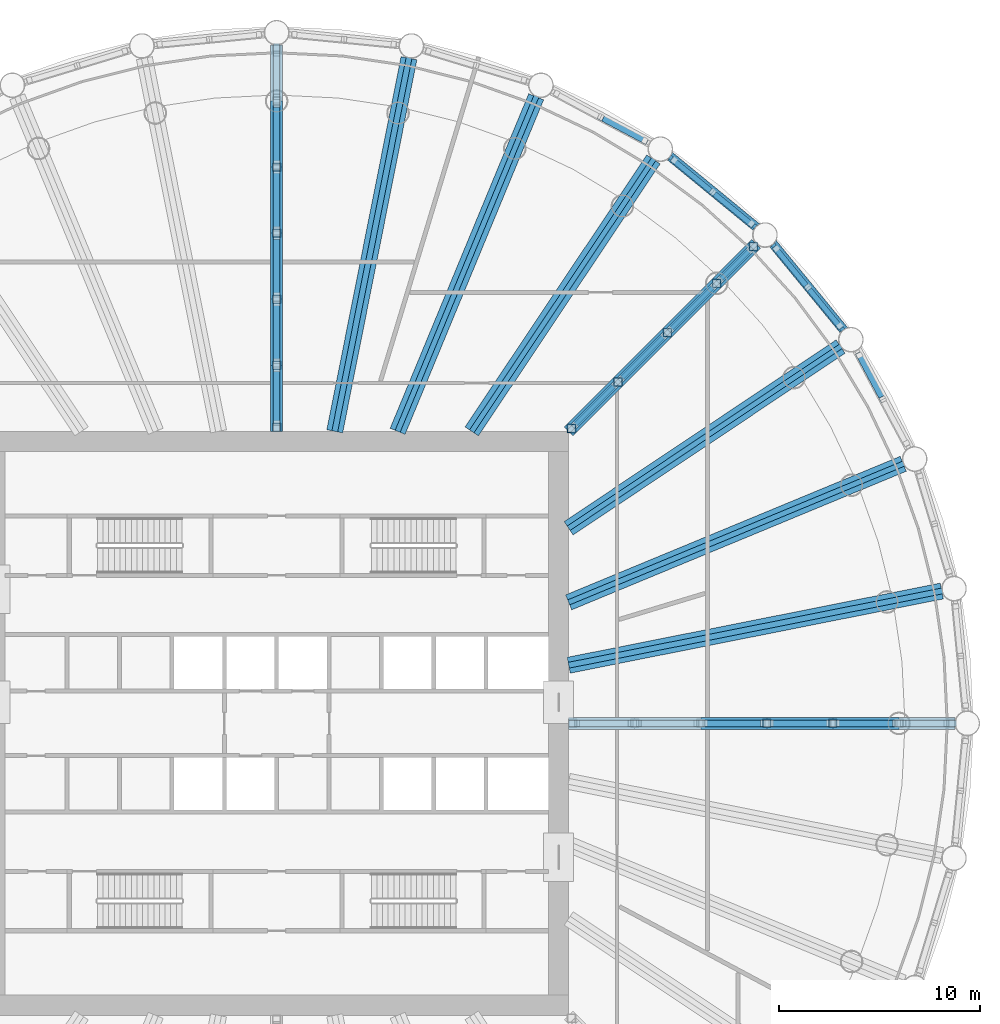
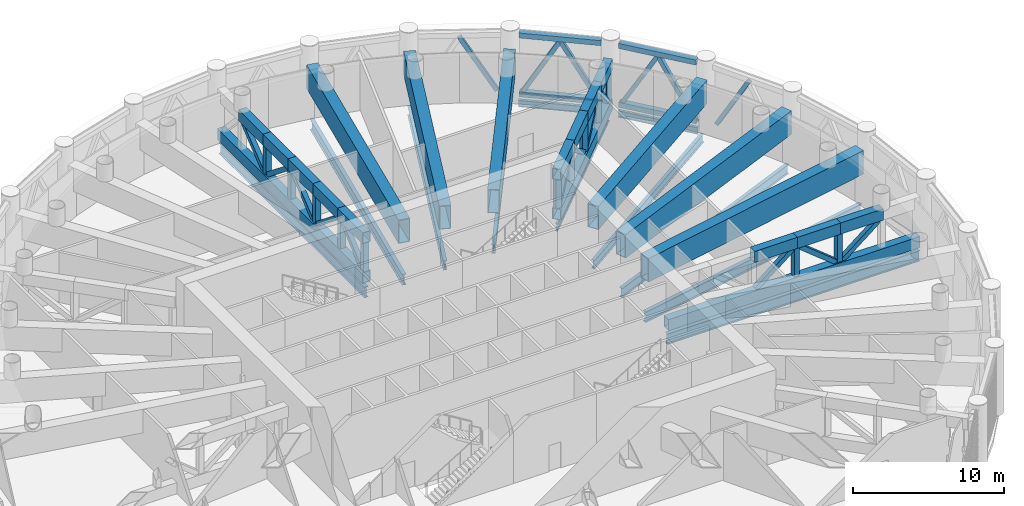
# One storey, part 6 of 29: 51 members, 17 beams, 2 elements without a shape of their own.
"""IFC4 building model written with IfcOpenShell, lengths in metres."""

from ifc_helpers import new_model, si_unit, direction, frame, origin, origin_2d, place, context, subcontext, project, spatial, rectangle, hollow_rectangle, i_section, extrude, material, material_profile, profile_set, type_object, element, aggregate, save


model = new_model("IFC4")

# Units and contexts
model_context = context("Model", 3, precision=1e-05, world=origin(), true_north=direction((0.0, 1.0)))
body_context = subcontext(model_context, "Body", "Model", "MODEL_VIEW")
ifc_project = project(units=[si_unit("LENGTHUNIT", "METRE"), si_unit("AREAUNIT", "SQUARE_METRE"), si_unit("VOLUMEUNIT", "CUBIC_METRE"), si_unit("PLANEANGLEUNIT", "RADIAN"), si_unit("MASSUNIT", "GRAM", prefix="KILO")], contexts=[model_context])

# Site, building, storey
site_placement = place(None, origin())
site = spatial("IfcSite", under=ifc_project, at=site_placement, CompositionType="ELEMENT")
building_placement = place(site_placement, origin())
building = spatial("IfcBuilding", under=site, at=building_placement, Name="Corvane Civic Tower", CompositionType="ELEMENT")
storey_placement = place(building_placement, frame((0.0, 0.0, 138.5)))
storey = spatial("IfcBuildingStorey", under=building, at=storey_placement, Name="L32", CompositionType="ELEMENT", Elevation=138.5)

# Members
ifc_material_1 = material(Name="Steel ASTM A500 Gr C", Category="steel")
ifc_material_profile_1 = material_profile(ifc_material_1, hollow_rectangle(XDim=0.406494140625, YDim=0.406494140625, WallThickness=0.0146484375, at=origin_2d()), Name="HSS16X16X5/8")
ifc_profile_set_1 = profile_set([ifc_material_profile_1], Name="Steel ASTM A500 Gr C")
member_type_1 = type_object("IfcMemberType", Name="BELT CHORD HSS16X16X5/8", PredefinedType="CHORD", material=ifc_profile_set_1)
for number, where, z_axis, x_axis, name in (
    (1, (19.539306640625, 28.122802734375, 4.94677734375), (0.772992607919, -0.634415028276, 0.0), (0.634415028276, 0.772992607919, 0.0), "Belt truss BT-L32"),
    (2, (19.539306640625, 28.122802734375, 0.203125), (0.772992607919, -0.634415028276, 0.0), (0.634415028276, 0.772992607919, 0.0), "Belt truss BT-L32"),
    (3, (24.650146484375, 23.7705078125, 4.94677734375), (0.634415028276, -0.772992607919, 0.0), (0.772992607919, 0.634415028276, 0.0), "Belt truss BT-L32"),
    (4, (24.650146484375, 23.7705078125, 0.203125), (0.634415028276, -0.772992607919, 0.0), (0.772992607919, 0.634415028276, 0.0), "Belt truss BT-L32"),
):
    element("IfcMember", number, at=place(storey_placement, frame(where, z_axis=z_axis, x_axis=x_axis)), inside=storey, type_object=member_type_1, Name=name, PredefinedType="CHORD", context=body_context, shape_type="SweptSolid", body=[
        extrude(hollow_rectangle(XDim=0.406494140625, YDim=0.406494140625, WallThickness=0.0146484375, at=origin_2d()), origin(), (0.0, 0.0, 1.0), 5.473876953125),
    ])
ifc_material_2 = material(Name="Steel ASTM A500 Gr C", Category="steel")
ifc_material_profile_2 = material_profile(ifc_material_2, hollow_rectangle(XDim=0.3046875, YDim=0.3046875, WallThickness=0.01171875, at=origin_2d()), Name="HSS12X12X1/2")
ifc_profile_set_2 = profile_set([ifc_material_profile_2], Name="Steel ASTM A500 Gr C")
member_type_2 = type_object("IfcMemberType", Name="BELT DIAGONAL HSS12X12X1/2", PredefinedType="BRACE", material=ifc_profile_set_2)
member_1_placement = place(storey_placement, frame((18.284423828125, 28.931640625, 0.406494140625), z_axis=(-0.438700173893, 0.234536613447, 0.867487598977), x_axis=(-0.471469415542, -0.881882412915, 0.0)))
element("IfcMember", 5, at=member_1_placement, inside=storey, type_object=member_type_2, Name="Belt truss BT-L32", PredefinedType="BRACE", context=body_context, shape_type="SweptSolid", body=[
    extrude(hollow_rectangle(XDim=0.3046875, YDim=0.3046875, WallThickness=0.01171875, at=origin_2d()), origin(), (0.0, 0.0, 1.0), 4.999755859375),
])
for number, where, z_axis, x_axis, name in (
    (6, (19.732421875, 27.964111328125, 0.406494140625), (0.384549956016, -0.315550706765, 0.867495869032), (0.634343688691, 0.773051152653, 0.0), "Belt truss BT-L32"),
    (7, (23.577392578125, 24.808837890625, 0.406494140625), (-0.384508344276, 0.315556632044, 0.867512158505), (-0.634391829389, -0.773011647263, 0.0), "Belt truss BT-L32"),
    (8, (24.808837890625, 23.577392578125, 0.406494140625), (0.315556632044, -0.384508344276, 0.867512158505), (0.773011647263, 0.634391829389, 0.0), "Belt truss BT-L32"),
    (9, (27.964111328125, 19.732421875, 0.406494140625), (-0.315550706765, 0.384549956016, 0.867495869032), (-0.773051152653, -0.634343688691, 0.0), "Belt truss BT-L32"),
):
    element("IfcMember", number, at=place(storey_placement, frame(where, z_axis=z_axis, x_axis=x_axis)), inside=storey, type_object=member_type_2, Name=name, PredefinedType="BRACE", context=body_context, shape_type="SweptSolid", body=[
        extrude(hollow_rectangle(XDim=0.3046875, YDim=0.3046875, WallThickness=0.01171875, at=origin_2d()), origin(), (0.0, 0.0, 1.0), 4.99951171875),
    ])
member_2_placement = place(storey_placement, frame((28.931640625, 18.284423828125, 0.406494140625), z_axis=(0.234536613447, -0.438700173893, 0.867487598977), x_axis=(0.881882412915, 0.471469415542, 0.0)))
element("IfcMember", 10, at=member_2_placement, inside=storey, type_object=member_type_2, Name="Belt truss BT-L32", PredefinedType="BRACE", context=body_context, shape_type="SweptSolid", body=[
    extrude(hollow_rectangle(XDim=0.3046875, YDim=0.3046875, WallThickness=0.01171875, at=origin_2d()), origin(), (0.0, 0.0, 1.0), 4.999755859375),
])

# Beams
ifc_material_3 = material(Name="Steel ASTM A992 Gr 50", Category="steel")
ifc_material_profile_3 = material_profile(ifc_material_3, i_section(OverallWidth=0.209228515625, OverallDepth=0.533447265625, WebThickness=0.01025390625, FlangeThickness=0.015625, at=origin_2d()), Name="W21X62")
ifc_profile_set_3 = profile_set([ifc_material_profile_3], Name="Steel ASTM A992 Gr 50")
beam_type_1 = type_object("IfcBeamType", Name="EDGE BEAM W21X62", PredefinedType="BEAM", material=ifc_profile_set_3)
for number, where, z_axis, x_axis, name in (
    (11, (19.481201171875, 28.17041015625, -0.61669921875), (0.773006775372, -0.634397765782, 0.0), (0.634397765782, 0.773006775372, 0.0), "BM-L32-E04"),
    (12, (24.6025390625, 23.82861328125, -0.61669921875), (0.634397765782, -0.773006775372, 0.0), (0.773006775372, 0.634397765782, 0.0), "BM-L32-E05"),
):
    element("IfcBeam", number, at=place(storey_placement, frame(where, z_axis=z_axis, x_axis=x_axis)), inside=storey, type_object=beam_type_1, Name=name, PredefinedType="BEAM", context=body_context, shape_type="SweptSolid", body=[
        extrude(i_section(OverallWidth=0.209228515625, OverallDepth=0.533447265625, WebThickness=0.01025390625, FlangeThickness=0.015625, at=origin_2d()), origin(), (0.0, 0.0, 1.0), 5.6240234375),
    ])
ifc_material_4 = material(Name="Steel ASTM A992 Gr 50", Category="steel")
ifc_material_profile_4 = material_profile(ifc_material_4, i_section(OverallWidth=0.177978515625, OverallDepth=0.599365234375, WebThickness=0.010009765625, FlangeThickness=0.012939453125, at=origin_2d()), Name="W24X55")
ifc_profile_set_4 = profile_set([ifc_material_profile_4], Name="Steel ASTM A992 Gr 50")
beam_type_2 = type_object("IfcBeamType", Name="FLOOR GIRDER W24X55", PredefinedType="BEAM", material=ifc_profile_set_4)
beam_1_placement = place(storey_placement, frame((14.5, 14.5, -0.649658203125), z_axis=(0.707106781187, 0.707106781187, 0.0), x_axis=(-0.707106781187, 0.707106781187, 0.0)))
element("IfcBeam", 13, at=beam_1_placement, inside=storey, type_object=beam_type_2, Name="BM-L32-G05", PredefinedType="BEAM", context=body_context, shape_type="SweptSolid", body=[
    extrude(i_section(OverallWidth=0.177978515625, OverallDepth=0.599365234375, WebThickness=0.010009765625, FlangeThickness=0.012939453125, at=origin_2d()), origin(), (0.0, 0.0, 1.0), 13.24365234375),
])
ifc_material_5 = material(Name="Steel ASTM A992 Gr 50", Category="steel")
ifc_material_profile_5 = material_profile(ifc_material_5, i_section(OverallWidth=0.256591796875, OverallDepth=0.693359375, WebThickness=0.014404296875, FlangeThickness=0.023681640625, at=origin_2d()), Name="W27X114")
ifc_profile_set_5 = profile_set([ifc_material_profile_5], Name="Steel ASTM A992 Gr 50")
beam_type_3 = type_object("IfcBeamType", Name="FLOOR GIRDER W27X114", PredefinedType="BEAM", material=ifc_profile_set_5)
for number, where, z_axis, x_axis, name in (
    (14, (9.6884765625, 14.5, -0.69677734375), (0.555577235054, 0.83146493365, 0.0), (-0.83146493365, 0.555577235054, 0.0), "BM-L32-G04"),
    (15, (14.5, 9.6884765625, -0.69677734375), (0.83146493365, 0.555577235054, 0.0), (-0.555577235054, 0.83146493365, 0.0), "BM-L32-G06"),
):
    element("IfcBeam", number, at=place(storey_placement, frame(where, z_axis=z_axis, x_axis=x_axis)), inside=storey, type_object=beam_type_3, Name=name, PredefinedType="BEAM", context=body_context, shape_type="SweptSolid", body=[
        extrude(i_section(OverallWidth=0.256591796875, OverallDepth=0.693359375, WebThickness=0.014404296875, FlangeThickness=0.023681640625, at=origin_2d()), origin(), (0.0, 0.0, 1.0), 16.31103515625),
    ])
ifc_material_6 = material(Name="Steel ASTM A992 Gr 50", Category="steel")
ifc_material_profile_6 = material_profile(ifc_material_6, i_section(OverallWidth=0.2666015625, OverallDepth=0.7568359375, WebThickness=0.013916015625, FlangeThickness=0.019287109375, at=origin_2d()), Name="W30X108")
ifc_profile_set_6 = profile_set([ifc_material_profile_6], Name="Steel ASTM A992 Gr 50")
beam_type_4 = type_object("IfcBeamType", Name="FLOOR GIRDER W30X108", PredefinedType="BEAM", material=ifc_profile_set_6)
for number, where, z_axis, x_axis, name in (
    (16, (6.006103515625, 14.5, -0.728515625), (0.382681797504, 0.923880209691, 0.0), (-0.923880209691, 0.382681797504, 0.0), "BM-L32-G03"),
    (17, (14.5, 6.006103515625, -0.728515625), (0.923880209691, 0.382681797504, 0.0), (-0.382681797504, 0.923880209691, 0.0), "BM-L32-G07"),
):
    element("IfcBeam", number, at=place(storey_placement, frame(where, z_axis=z_axis, x_axis=x_axis)), inside=storey, type_object=beam_type_4, Name=name, PredefinedType="BEAM", context=body_context, shape_type="SweptSolid", body=[
        extrude(i_section(OverallWidth=0.2666015625, OverallDepth=0.7568359375, WebThickness=0.013916015625, FlangeThickness=0.019287109375, at=origin_2d()), origin(), (0.0, 0.0, 1.0), 18.05517578125),
    ])
ifc_material_7 = material(Name="Steel ASTM A992 Gr 50", Category="steel")
ifc_material_profile_7 = material_profile(ifc_material_7, i_section(OverallWidth=0.2919921875, OverallDepth=0.8583984375, WebThickness=0.01708984375, FlangeThickness=0.031005859375, at=origin_2d()), Name="W33X169")
ifc_profile_set_7 = profile_set([ifc_material_profile_7], Name="Steel ASTM A992 Gr 50")
beam_type_5 = type_object("IfcBeamType", Name="FLOOR GIRDER W33X169", PredefinedType="BEAM", material=ifc_profile_set_7)
beam_2_placement = place(storey_placement, frame((0.0, 14.5, -0.779296875), z_axis=(0.0, 1.0, 0.0), x_axis=(-1.0, 0.0, 0.0)))
element("IfcBeam", 18, at=beam_2_placement, inside=storey, type_object=beam_type_5, Name="BM-L32-G01", PredefinedType="BEAM", context=body_context, shape_type="SweptSolid", body=[
    extrude(i_section(OverallWidth=0.2919921875, OverallDepth=0.8583984375, WebThickness=0.01708984375, FlangeThickness=0.031005859375, at=origin_2d()), origin(), (0.0, 0.0, 1.0), 19.25),
])
for number, where, z_axis, x_axis, name in (
    (19, (2.88427734375, 14.5, -0.779296875), (0.195083745652, 0.9807865885, 0.0), (-0.9807865885, 0.195083745652, 0.0), "BM-L32-G02"),
    (20, (14.5, 2.88427734375, -0.779296875), (0.9807865885, 0.195083745652, 0.0), (-0.195083745652, 0.9807865885, 0.0), "BM-L32-G08"),
):
    element("IfcBeam", number, at=place(storey_placement, frame(where, z_axis=z_axis, x_axis=x_axis)), inside=storey, type_object=beam_type_5, Name=name, PredefinedType="BEAM", context=body_context, shape_type="SweptSolid", body=[
        extrude(i_section(OverallWidth=0.2919921875, OverallDepth=0.8583984375, WebThickness=0.01708984375, FlangeThickness=0.031005859375, at=origin_2d()), origin(), (0.0, 0.0, 1.0), 18.966064453125),
    ])
beam_3_placement = place(storey_placement, frame((14.5, 0.0, -0.779296875), z_axis=(1.0, 0.0, 0.0), x_axis=(0.0, 1.0, 0.0)))
element("IfcBeam", 21, at=beam_3_placement, inside=storey, type_object=beam_type_5, Name="BM-L32-G09", PredefinedType="BEAM", context=body_context, shape_type="SweptSolid", body=[
    extrude(i_section(OverallWidth=0.2919921875, OverallDepth=0.8583984375, WebThickness=0.01708984375, FlangeThickness=0.031005859375, at=origin_2d()), origin(), (0.0, 0.0, 1.0), 19.25),
])

# Members
ifc_material_8 = material(Name="Steel ASTM A572 Gr 50", Category="steel")
ifc_material_profile_8 = material_profile(ifc_material_8, hollow_rectangle(XDim=0.60009765625, YDim=0.89990234375, WallThickness=0.0400390625, at=origin_2d()), Name="BOX900X600X40")
ifc_profile_set_8 = profile_set([ifc_material_profile_8], Name="Steel ASTM A572 Gr 50")
member_type_3 = type_object("IfcMemberType", Name="OUTRIGGER CHORD BOX900X600X40", PredefinedType="CHORD", material=ifc_profile_set_8)
for number, where, z_axis, x_axis, name in (
    (22, (0.0, 14.5, 3.64990234375), (0.0, 1.0, 0.0), (-1.0, 0.0, 0.0), "Outrigger truss OT-L32-1"),
    (23, (0.0, 17.780029296875, 3.64990234375), (0.0, 1.0, 0.0), (-1.0, 0.0, 0.0), "Outrigger truss OT-L32-1"),
    (24, (0.0, 21.06005859375, 3.64990234375), (0.0, 1.0, 0.0), (-1.0, 0.0, 0.0), "Outrigger truss OT-L32-1"),
    (25, (0.0, 24.340087890625, 3.64990234375), (0.0, 1.0, 0.0), (-1.0, 0.0, 0.0), "Outrigger truss OT-L32-1"),
):
    element("IfcMember", number, at=place(storey_placement, frame(where, z_axis=z_axis, x_axis=x_axis)), inside=storey, type_object=member_type_3, Name=name, PredefinedType="CHORD", context=body_context, shape_type="SweptSolid", body=[
        extrude(hollow_rectangle(XDim=0.60009765625, YDim=0.89990234375, WallThickness=0.0400390625, at=origin_2d()), origin(), (0.0, 0.0, 1.0), 3.280029296875),
    ])
member_3_placement = place(storey_placement, frame((0.0, 27.6201171875, 3.64990234375), z_axis=(0.0, 1.0, 0.0), x_axis=(-1.0, 0.0, 0.0)))
element("IfcMember", 26, at=member_3_placement, inside=storey, type_object=member_type_3, Name="Outrigger truss OT-L32-1", PredefinedType="CHORD", context=body_context, shape_type="SweptSolid", body=[
    extrude(hollow_rectangle(XDim=0.60009765625, YDim=0.89990234375, WallThickness=0.0400390625, at=origin_2d()), origin(), (0.0, 0.0, 1.0), 3.27978515625),
])
member_4_placement = place(storey_placement, frame((0.0, 14.5, 0.449951171875), z_axis=(0.0, 1.0, 0.0), x_axis=(-1.0, 0.0, 0.0)))
element("IfcMember", 27, at=member_4_placement, inside=storey, type_object=member_type_3, Name="Outrigger truss OT-L32-1", PredefinedType="CHORD", context=body_context, shape_type="SweptSolid", body=[
    extrude(hollow_rectangle(XDim=0.60009765625, YDim=0.89990234375, WallThickness=0.0400390625, at=origin_2d()), origin(), (0.0, 0.0, 1.0), 19.175048828125),
])
member_5_placement = place(storey_placement, frame((14.5, 14.5, 3.64990234375), z_axis=(0.707106781187, 0.707106781187, 0.0), x_axis=(-0.707106781187, 0.707106781187, 0.0)))
element("IfcMember", 28, at=member_5_placement, inside=storey, type_object=member_type_3, Name="Outrigger truss OT-L32-2", PredefinedType="CHORD", context=body_context, shape_type="SweptSolid", body=[
    extrude(hollow_rectangle(XDim=0.60009765625, YDim=0.89990234375, WallThickness=0.0400390625, at=origin_2d()), origin(), (0.0, 0.0, 1.0), 3.46484375),
])
member_6_placement = place(storey_placement, frame((16.949951171875, 16.949951171875, 3.64990234375), z_axis=(0.707106781187, 0.707106781187, 0.0), x_axis=(-0.707106781187, 0.707106781187, 0.0)))
element("IfcMember", 29, at=member_6_placement, inside=storey, type_object=member_type_3, Name="Outrigger truss OT-L32-2", PredefinedType="CHORD", context=body_context, shape_type="SweptSolid", body=[
    extrude(hollow_rectangle(XDim=0.60009765625, YDim=0.89990234375, WallThickness=0.0400390625, at=origin_2d()), origin(), (0.0, 0.0, 1.0), 3.46435546875),
])
member_7_placement = place(storey_placement, frame((19.399658203125, 19.399658203125, 3.64990234375), z_axis=(0.707106781187, 0.707106781187, 0.0), x_axis=(-0.707106781187, 0.707106781187, 0.0)))
element("IfcMember", 30, at=member_7_placement, inside=storey, type_object=member_type_3, Name="Outrigger truss OT-L32-2", PredefinedType="CHORD", context=body_context, shape_type="SweptSolid", body=[
    extrude(hollow_rectangle(XDim=0.60009765625, YDim=0.89990234375, WallThickness=0.0400390625, at=origin_2d()), origin(), (0.0, 0.0, 1.0), 3.46484375),
])
member_8_placement = place(storey_placement, frame((21.849609375, 21.849609375, 3.64990234375), z_axis=(0.707106781187, 0.707106781187, 0.0), x_axis=(-0.707106781187, 0.707106781187, 0.0)))
element("IfcMember", 31, at=member_8_placement, inside=storey, type_object=member_type_3, Name="Outrigger truss OT-L32-2", PredefinedType="CHORD", context=body_context, shape_type="SweptSolid", body=[
    extrude(hollow_rectangle(XDim=0.60009765625, YDim=0.89990234375, WallThickness=0.0400390625, at=origin_2d()), origin(), (0.0, 0.0, 1.0), 2.77490234375),
])
member_9_placement = place(storey_placement, frame((14.5, 14.5, 0.449951171875), z_axis=(0.707106781187, 0.707106781187, 0.0), x_axis=(-0.707106781187, 0.707106781187, 0.0)))
element("IfcMember", 32, at=member_9_placement, inside=storey, type_object=member_type_3, Name="Outrigger truss OT-L32-2", PredefinedType="CHORD", context=body_context, shape_type="SweptSolid", body=[
    extrude(hollow_rectangle(XDim=0.60009765625, YDim=0.89990234375, WallThickness=0.0400390625, at=origin_2d()), origin(), (0.0, 0.0, 1.0), 13.1689453125),
])
for number, where, z_axis, x_axis, name in (
    (33, (21.06005859375, 0.0, 3.64990234375), (1.0, 0.0, 0.0), (0.0, 1.0, 0.0), "Outrigger truss OT-L32-3"),
    (34, (24.340087890625, 0.0, 3.64990234375), (1.0, 0.0, 0.0), (0.0, 1.0, 0.0), "Outrigger truss OT-L32-3"),
):
    element("IfcMember", number, at=place(storey_placement, frame(where, z_axis=z_axis, x_axis=x_axis)), inside=storey, type_object=member_type_3, Name=name, PredefinedType="CHORD", context=body_context, shape_type="SweptSolid", body=[
        extrude(hollow_rectangle(XDim=0.60009765625, YDim=0.89990234375, WallThickness=0.0400390625, at=origin_2d()), origin(), (0.0, 0.0, 1.0), 3.280029296875),
    ])
member_10_placement = place(storey_placement, frame((27.6201171875, 0.0, 3.64990234375), z_axis=(1.0, 0.0, 0.0), x_axis=(0.0, 1.0, 0.0)))
element("IfcMember", 35, at=member_10_placement, inside=storey, type_object=member_type_3, Name="Outrigger truss OT-L32-3", PredefinedType="CHORD", context=body_context, shape_type="SweptSolid", body=[
    extrude(hollow_rectangle(XDim=0.60009765625, YDim=0.89990234375, WallThickness=0.0400390625, at=origin_2d()), origin(), (0.0, 0.0, 1.0), 3.27978515625),
])
member_11_placement = place(storey_placement, frame((14.5, 0.0, 0.449951171875), z_axis=(1.0, 0.0, 0.0), x_axis=(0.0, 1.0, 0.0)))
element("IfcMember", 36, at=member_11_placement, inside=storey, type_object=member_type_3, Name="Outrigger truss OT-L32-3", PredefinedType="CHORD", context=body_context, shape_type="SweptSolid", body=[
    extrude(hollow_rectangle(XDim=0.60009765625, YDim=0.89990234375, WallThickness=0.0400390625, at=origin_2d()), origin(), (0.0, 0.0, 1.0), 19.175048828125),
])
ifc_material_9 = material(Name="Steel ASTM A500 Gr C", Category="steel")
ifc_material_profile_9 = material_profile(ifc_material_9, hollow_rectangle(XDim=0.355712890625, YDim=0.355712890625, WallThickness=0.01171875, at=origin_2d()), Name="HSS14X14X1/2")
ifc_profile_set_9 = profile_set([ifc_material_profile_9], Name="Steel ASTM A500 Gr C")
member_type_4 = type_object("IfcMemberType", Name="OUTRIGGER DIAGONAL HSS14X14X1/2", PredefinedType="BRACE", material=ifc_profile_set_9)
member_12_placement = place(storey_placement, frame((0.0, 14.906494140625, 0.89990234375), z_axis=(0.0, 0.757694584279, 0.652609314179), x_axis=(-1.0, 0.0, 0.0)))
element("IfcMember", 37, at=member_12_placement, inside=storey, type_object=member_type_4, Name="Outrigger truss OT-L32-1", PredefinedType="BRACE", context=body_context, shape_type="SweptSolid", body=[
    extrude(hollow_rectangle(XDim=0.355712890625, YDim=0.355712890625, WallThickness=0.01171875, at=origin_2d()), origin(), (0.0, 0.0, 1.0), 3.5244140625),
])
for number, where, z_axis, x_axis, name in (
    (38, (0.0, 17.983154296875, 3.199951171875), (0.0, 0.780707002168, -0.624897252967), (-1.0, 0.0, 0.0), "Outrigger truss OT-L32-1"),
    (39, (0.0, 21.26318359375, 0.89990234375), (0.0, 0.780707002168, 0.624897252967), (-1.0, 0.0, 0.0), "Outrigger truss OT-L32-1"),
    (40, (0.0, 24.543212890625, 3.199951171875), (0.0, 0.780707002168, -0.624897252967), (-1.0, 0.0, 0.0), "Outrigger truss OT-L32-1"),
    (41, (0.0, 27.8232421875, 0.89990234375), (0.0, 0.780707002168, 0.624897252967), (-1.0, 0.0, 0.0), "Outrigger truss OT-L32-1"),
):
    element("IfcMember", number, at=place(storey_placement, frame(where, z_axis=z_axis, x_axis=x_axis)), inside=storey, type_object=member_type_4, Name=name, PredefinedType="BRACE", context=body_context, shape_type="SweptSolid", body=[
        extrude(hollow_rectangle(XDim=0.355712890625, YDim=0.355712890625, WallThickness=0.01171875, at=origin_2d()), origin(), (0.0, 0.0, 1.0), 3.6806640625),
    ])
member_13_placement = place(storey_placement, frame((14.787353515625, 14.787353515625, 0.89990234375), z_axis=(0.55064544484, 0.55064544484, 0.627358899), x_axis=(-0.707106781187, 0.707106781187, 0.0)))
element("IfcMember", 42, at=member_13_placement, inside=storey, type_object=member_type_4, Name="Outrigger truss OT-L32-2", PredefinedType="BRACE", context=body_context, shape_type="SweptSolid", body=[
    extrude(hollow_rectangle(XDim=0.355712890625, YDim=0.355712890625, WallThickness=0.01171875, at=origin_2d()), origin(), (0.0, 0.0, 1.0), 3.666259765625),
])
member_14_placement = place(storey_placement, frame((17.093505859375, 17.093505859375, 3.199951171875), z_axis=(0.565129033504, 0.565129033504, -0.601047711069), x_axis=(-0.707106781187, 0.707106781187, 0.0)))
element("IfcMember", 43, at=member_14_placement, inside=storey, type_object=member_type_4, Name="Outrigger truss OT-L32-2", PredefinedType="BRACE", context=body_context, shape_type="SweptSolid", body=[
    extrude(hollow_rectangle(XDim=0.355712890625, YDim=0.355712890625, WallThickness=0.01171875, at=origin_2d()), origin(), (0.0, 0.0, 1.0), 3.82666015625),
])
member_15_placement = place(storey_placement, frame((19.54345703125, 19.54345703125, 0.89990234375), z_axis=(0.565105983192, 0.565105983192, 0.601091054268), x_axis=(-0.707106781187, 0.707106781187, 0.0)))
element("IfcMember", 44, at=member_15_placement, inside=storey, type_object=member_type_4, Name="Outrigger truss OT-L32-2", PredefinedType="BRACE", context=body_context, shape_type="SweptSolid", body=[
    extrude(hollow_rectangle(XDim=0.355712890625, YDim=0.355712890625, WallThickness=0.01171875, at=origin_2d()), origin(), (0.0, 0.0, 1.0), 3.826416015625),
])
member_16_placement = place(storey_placement, frame((21.9931640625, 21.9931640625, 3.199951171875), z_axis=(0.48471654406, 0.48471654406, -0.728079490049), x_axis=(-0.707106781187, 0.707106781187, 0.0)))
element("IfcMember", 45, at=member_16_placement, inside=storey, type_object=member_type_4, Name="Outrigger truss OT-L32-2", PredefinedType="BRACE", context=body_context, shape_type="SweptSolid", body=[
    extrude(hollow_rectangle(XDim=0.355712890625, YDim=0.355712890625, WallThickness=0.01171875, at=origin_2d()), origin(), (0.0, 0.0, 1.0), 3.1591796875),
])
for number, where, z_axis, x_axis, name in (
    (46, (21.26318359375, 0.0, 0.89990234375), (0.780707002168, 0.0, 0.624897252967), (0.0, 1.0, 0.0), "Outrigger truss OT-L32-3"),
    (47, (24.543212890625, 0.0, 3.199951171875), (0.780707002168, 0.0, -0.624897252967), (0.0, 1.0, 0.0), "Outrigger truss OT-L32-3"),
    (48, (27.8232421875, 0.0, 0.89990234375), (0.780707002168, 0.0, 0.624897252967), (0.0, 1.0, 0.0), "Outrigger truss OT-L32-3"),
):
    element("IfcMember", number, at=place(storey_placement, frame(where, z_axis=z_axis, x_axis=x_axis)), inside=storey, type_object=member_type_4, Name=name, PredefinedType="BRACE", context=body_context, shape_type="SweptSolid", body=[
        extrude(hollow_rectangle(XDim=0.355712890625, YDim=0.355712890625, WallThickness=0.01171875, at=origin_2d()), origin(), (0.0, 0.0, 1.0), 3.6806640625),
    ])
ifc_material_10 = material(Name="Steel ASTM A500 Gr C", Category="steel")
ifc_material_profile_10 = material_profile(ifc_material_10, hollow_rectangle(XDim=0.406494140625, YDim=0.406494140625, WallThickness=0.0146484375, at=origin_2d()), Name="HSS16X16X5/8")
ifc_profile_set_10 = profile_set([ifc_material_profile_10], Name="Steel ASTM A500 Gr C")
member_type_5 = type_object("IfcMemberType", Name="OUTRIGGER POST HSS16X16X5/8", PredefinedType="POST", material=ifc_profile_set_10)
for number, where, z_axis, x_axis, name in (
    (49, (0.0, 14.703125, 0.89990234375), (0.0, 0.0, 1.0), (1.0, 0.0, 0.0), "Outrigger truss OT-L32-1"),
    (50, (0.0, 17.780029296875, 0.89990234375), (0.0, 0.0, 1.0), (1.0, 0.0, 0.0), "Outrigger truss OT-L32-1"),
    (51, (0.0, 21.06005859375, 0.89990234375), (0.0, 0.0, 1.0), (1.0, 0.0, 0.0), "Outrigger truss OT-L32-1"),
    (52, (0.0, 24.340087890625, 0.89990234375), (0.0, 0.0, 1.0), (1.0, 0.0, 0.0), "Outrigger truss OT-L32-1"),
    (53, (0.0, 27.6201171875, 0.89990234375), (0.0, 0.0, 1.0), (1.0, 0.0, 0.0), "Outrigger truss OT-L32-1"),
    (54, (14.643798828125, 14.643798828125, 0.89990234375), (0.0, 0.0, 1.0), (1.0, 0.0, 0.0), "Outrigger truss OT-L32-2"),
    (55, (16.949951171875, 16.949951171875, 0.89990234375), (0.0, 0.0, 1.0), (1.0, 0.0, 0.0), "Outrigger truss OT-L32-2"),
    (56, (19.399658203125, 19.399658203125, 0.89990234375), (0.0, 0.0, 1.0), (1.0, 0.0, 0.0), "Outrigger truss OT-L32-2"),
    (57, (21.849609375, 21.849609375, 0.89990234375), (0.0, 0.0, 1.0), (1.0, 0.0, 0.0), "Outrigger truss OT-L32-2"),
    (58, (23.668212890625, 23.668212890625, 0.89990234375), (0.0, 0.0, 1.0), (1.0, 0.0, 0.0), "Outrigger truss OT-L32-2"),
    (59, (24.340087890625, 0.0, 0.89990234375), (0.0, 0.0, 1.0), (1.0, 0.0, 0.0), "Outrigger truss OT-L32-3"),
    (60, (27.6201171875, 0.0, 0.89990234375), (0.0, 0.0, 1.0), (1.0, 0.0, 0.0), "Outrigger truss OT-L32-3"),
):
    element("IfcMember", number, at=place(storey_placement, frame(where, z_axis=z_axis, x_axis=x_axis)), inside=storey, type_object=member_type_5, Name=name, PredefinedType="POST", context=body_context, shape_type="SweptSolid", body=[
        extrude(hollow_rectangle(XDim=0.406494140625, YDim=0.406494140625, WallThickness=0.0146484375, at=origin_2d()), origin(), (0.0, 0.0, 1.0), 2.300048828125),
    ])

# Curtain wall, member
ifc_material_11 = material(Name="Anodised aluminium bronze", Category="aluminium")
curtain_wall_type = type_object("IfcCurtainWallType", Name="TOWER CW-LV LOUVRE SCREEN WALL", PredefinedType="NOTDEFINED", material=ifc_material_11)
curtain_wall_1_placement = place(storey_placement, origin())
curtain_wall_1 = element("IfcCurtainWall", 61, at=curtain_wall_1_placement, inside=storey, type_object=curtain_wall_type, Name="Louvre screen wall CW-LV L32 bay 04", PredefinedType="NOTDEFINED")
ifc_material_12 = material(Name="Anodised aluminium bronze", Category="aluminium")
ifc_material_profile_11 = material_profile(ifc_material_12, rectangle(XDim=0.139892578125, YDim=0.1201171875, at=origin_2d()), Name="TOWER CW-LV TRANSOM 140x120")
ifc_profile_set_11 = profile_set([ifc_material_profile_11], Name="Anodised aluminium bronze")
member_type_6 = type_object("IfcMemberType", Name="TOWER CW-LV TRANSOM 140x120", PredefinedType="USERDEFINED", material=ifc_profile_set_11)
member_17_placement = place(storey_placement, frame((19.609619140625, 28.297119140625, 0.06005859375), z_axis=(0.772996431642, -0.634410369295, 0.0), x_axis=(0.634410369295, 0.772996431642, 0.0)))
member_17 = element("IfcMember", 62, at=member_17_placement, type_object=member_type_6, Name="Transom CW-LV L32 04.1", ObjectType="TRANSOM", PredefinedType="USERDEFINED", context=body_context, shape_type="SweptSolid", body=[
    extrude(rectangle(XDim=0.139892578125, YDim=0.1201171875, at=origin_2d()), origin(), (0.0, 0.0, 1.0), 5.586181640625),
])
aggregate(curtain_wall_1, [member_17])

curtain_wall_2_placement = place(storey_placement, origin())
curtain_wall_2 = element("IfcCurtainWall", 63, at=curtain_wall_2_placement, inside=storey, type_object=curtain_wall_type, Name="Louvre screen wall CW-LV L32 bay 05", PredefinedType="NOTDEFINED")
member_18_placement = place(storey_placement, frame((24.753173828125, 23.927734375, 0.06005859375), z_axis=(0.634410369295, -0.772996431642, 0.0), x_axis=(0.772996431642, 0.634410369295, 0.0)))
member_18 = element("IfcMember", 64, at=member_18_placement, type_object=member_type_6, Name="Transom CW-LV L32 05.1", ObjectType="TRANSOM", PredefinedType="USERDEFINED", context=body_context, shape_type="SweptSolid", body=[
    extrude(rectangle(XDim=0.139892578125, YDim=0.1201171875, at=origin_2d()), origin(), (0.0, 0.0, 1.0), 5.586181640625),
])
aggregate(curtain_wall_2, [member_18])

# Beams
ifc_material_13 = material(Name="Steel ASTM A572 Gr 50", Category="steel")
ifc_material_profile_12 = material_profile(ifc_material_13, hollow_rectangle(XDim=0.800048828125, YDim=1.89990234375, WallThickness=0.050048828125, at=origin_2d()), Name="BOX1900X800X50")
ifc_profile_set_12 = profile_set([ifc_material_profile_12], Name="Steel ASTM A572 Gr 50")
beam_type_6 = type_object("IfcBeamType", Name="TRANSFER GIRDER BOX1900X800X50", PredefinedType="BEAM", material=ifc_profile_set_12)
beam_4_placement = place(storey_placement, frame((2.88427734375, 14.5, 3.14990234375), z_axis=(0.1950846088, 0.980786416815, 0.0), x_axis=(-0.980786416815, 0.1950846088, 0.0)))
element("IfcBeam", 65, at=beam_4_placement, inside=storey, type_object=beam_type_6, Name="Transfer girder TG-L32-2", PredefinedType="BEAM", context=body_context, shape_type="SweptSolid", body=[
    extrude(hollow_rectangle(XDim=0.800048828125, YDim=1.89990234375, WallThickness=0.050048828125, at=origin_2d()), origin(), (0.0, 0.0, 1.0), 18.890869140625),
])
beam_5_placement = place(storey_placement, frame((6.006103515625, 14.5, 3.14990234375), z_axis=(0.382689169316, 0.923877156168, 0.0), x_axis=(-0.923877156168, 0.382689169316, 0.0)))
element("IfcBeam", 66, at=beam_5_placement, inside=storey, type_object=beam_type_6, Name="Transfer girder TG-L32-3", PredefinedType="BEAM", context=body_context, shape_type="SweptSolid", body=[
    extrude(hollow_rectangle(XDim=0.800048828125, YDim=1.89990234375, WallThickness=0.050048828125, at=origin_2d()), origin(), (0.0, 0.0, 1.0), 17.980224609375),
])
for number, where, z_axis, x_axis, name in (
    (67, (9.6884765625, 14.5, 3.14990234375), (0.5555708798, 0.831469180137, 0.0), (-0.831469180137, 0.5555708798, 0.0), "Transfer girder TG-L32-4"),
    (68, (14.5, 9.6884765625, 3.14990234375), (0.831469180137, 0.5555708798, 0.0), (-0.5555708798, 0.831469180137, 0.0), "Transfer girder TG-L32-6"),
):
    element("IfcBeam", number, at=place(storey_placement, frame(where, z_axis=z_axis, x_axis=x_axis)), inside=storey, type_object=beam_type_6, Name=name, PredefinedType="BEAM", context=body_context, shape_type="SweptSolid", body=[
        extrude(hollow_rectangle(XDim=0.800048828125, YDim=1.89990234375, WallThickness=0.050048828125, at=origin_2d()), origin(), (0.0, 0.0, 1.0), 16.236083984375),
    ])
beam_6_placement = place(storey_placement, frame((14.5, 6.006103515625, 3.14990234375), z_axis=(0.923877156168, 0.382689169316, 0.0), x_axis=(-0.382689169316, 0.923877156168, 0.0)))
element("IfcBeam", 69, at=beam_6_placement, inside=storey, type_object=beam_type_6, Name="Transfer girder TG-L32-7", PredefinedType="BEAM", context=body_context, shape_type="SweptSolid", body=[
    extrude(hollow_rectangle(XDim=0.800048828125, YDim=1.89990234375, WallThickness=0.050048828125, at=origin_2d()), origin(), (0.0, 0.0, 1.0), 17.980224609375),
])
beam_7_placement = place(storey_placement, frame((14.5, 2.88427734375, 3.14990234375), z_axis=(0.980786416815, 0.1950846088, 0.0), x_axis=(-0.1950846088, 0.980786416815, 0.0)))
element("IfcBeam", 70, at=beam_7_placement, inside=storey, type_object=beam_type_6, Name="Transfer girder TG-L32-8", PredefinedType="BEAM", context=body_context, shape_type="SweptSolid", body=[
    extrude(hollow_rectangle(XDim=0.800048828125, YDim=1.89990234375, WallThickness=0.050048828125, at=origin_2d()), origin(), (0.0, 0.0, 1.0), 18.890869140625),
])

save(model, "model.ifc")
